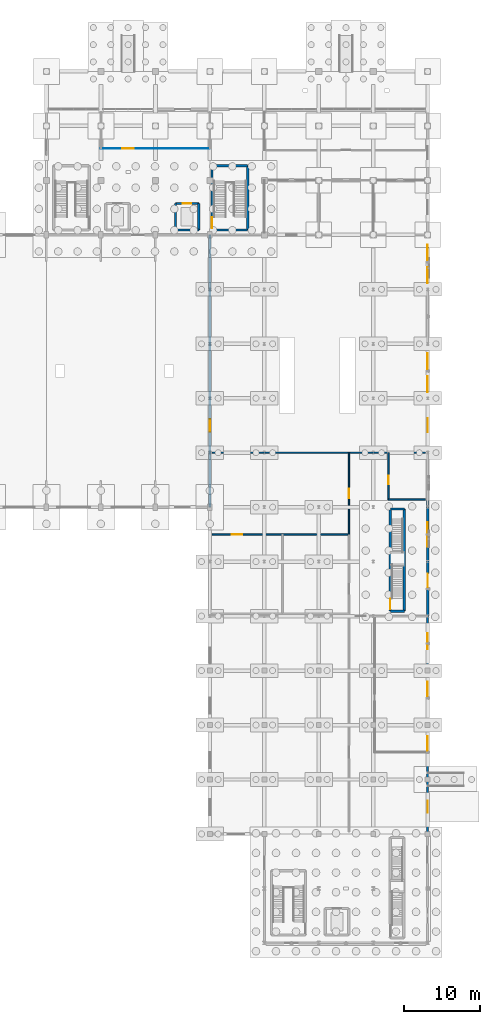
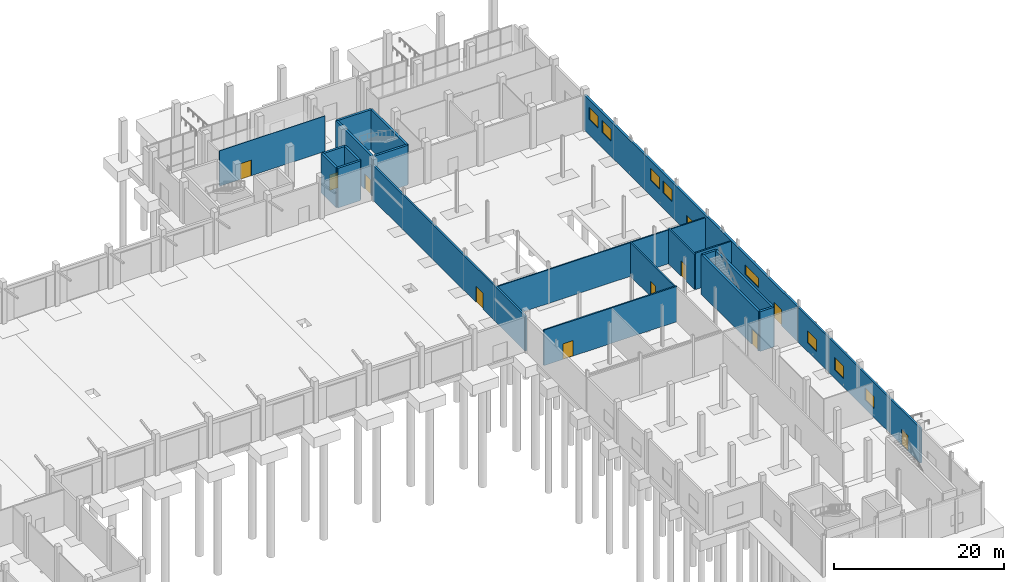
# One storey, part 36 of 45: 21 walls, 11 doors, 8 windows, 19 openings.
"""IFC4 building model written with IfcOpenShell, lengths in metres."""

from ifc_helpers import new_model, si_unit, direction, frame, frame_2d, origin, place, context, subcontext, project, spatial, rectangle, extrude, material, layer, layer_set, type_object, element, fill, save


model = new_model("IFC4")

# Units and contexts
model_context = context("Model", 3, precision=1e-05, world=origin(), true_north=direction((0.0, 1.0)))
body_context = subcontext(model_context, "Body", "Model", "MODEL_VIEW")
ifc_project = project(units=[si_unit("LENGTHUNIT", "METRE"), si_unit("AREAUNIT", "SQUARE_METRE"), si_unit("VOLUMEUNIT", "CUBIC_METRE"), si_unit("PLANEANGLEUNIT", "RADIAN"), si_unit("MASSUNIT", "GRAM", prefix="KILO")], contexts=[model_context])

# Site, building, storey
site_placement = place(None, origin())
site = spatial("IfcSite", under=ifc_project, at=site_placement, CompositionType="ELEMENT")
building_placement = place(site_placement, origin())
building = spatial("IfcBuilding", under=site, at=building_placement, Name="Yarey Park Central Fire Station", CompositionType="ELEMENT")
storey_placement = place(building_placement, origin())
storey = spatial("IfcBuildingStorey", under=building, at=storey_placement, Name="L01", CompositionType="ELEMENT", Elevation=0.0)

# Wall, openings, doors, windows
ifc_material_1 = material(Name="Concrete C35/45", Category="concrete")
ifc_layer_1 = layer(ifc_material_1, 0.304931640625)
ifc_layer_set_1 = layer_set([ifc_layer_1], Name="Concrete C35/45")
wall_type_1 = type_object("IfcWallType", Name="ENV_WALL_CMU305", PredefinedType="STANDARD", material=ifc_layer_set_1)
wall_1_placement = place(storey_placement, frame((165.60009765625, 93.60009765625, 0.0), z_axis=(0.0, 0.0, 1.0), x_axis=(0.0, -1.0, 0.0)))
wall_1 = element("IfcWall", 1, at=wall_1_placement, inside=storey, type_object=wall_type_1, Name="EW_L01_V5_E", PredefinedType="STANDARD", context=body_context, shape_type="SweptSolid", body=[
    extrude(rectangle(XDim=50.400146484375, YDim=0.304931640625, at=frame_2d((25.2001953125, 0.0))), origin(), (0.0, 0.0, 1.0), 5.02197265625),
])
opening_1_placement = place(wall_1_placement, frame((44.780029296875, 0.0, 0.0)))
opening_1 = element("IfcOpeningElement", 2, at=opening_1_placement, cuts=wall_1, Name="Opening ED-182", PredefinedType="OPENING", context=body_context, shape_type="SweptSolid", body=[
    extrude(rectangle(XDim=1.820068359375, YDim=2.340087890625, at=frame_2d((0.91015625, 1.169921875))), frame((0.0, 0.162353515625, 0.0), z_axis=(0.0, -1.0, 0.0), x_axis=(1.0, 0.0, 0.0)), (0.0, 0.0, 1.0), 0.324951171875),
])
opening_2_placement = place(wall_1_placement, frame((24.219970703125, 0.0, 0.0)))
opening_2 = element("IfcOpeningElement", 3, at=opening_2_placement, cuts=wall_1, Name="Opening ED-188", PredefinedType="OPENING", context=body_context, shape_type="SweptSolid", body=[
    extrude(rectangle(XDim=1.8798828125, YDim=2.360107421875, at=frame_2d((0.93994140625, 1.18017578125))), frame((0.0, 0.162353515625, 0.0), z_axis=(0.0, -1.0, 0.0), x_axis=(1.0, 0.0, 0.0)), (0.0, 0.0, 1.0), 0.324951171875),
])
opening_3_placement = place(wall_1_placement, frame((38.0, 0.0, 2.199951171875)))
opening_3 = element("IfcOpeningElement", 4, at=opening_3_placement, cuts=wall_1, Name="Opening WN-C320", PredefinedType="OPENING", context=body_context, shape_type="SweptSolid", body=[
    extrude(rectangle(XDim=3.199951171875, YDim=1.39990234375, at=frame_2d((1.60009765625, 0.699951171875))), frame((0.0, 0.162353515625, 0.0), z_axis=(0.0, -1.0, 0.0), x_axis=(1.0, 0.0, 0.0)), (0.0, 0.0, 1.0), 0.324951171875),
])
opening_4_placement = place(wall_1_placement, frame((18.679931640625, 0.0, 2.199951171875)))
opening_4 = element("IfcOpeningElement", 5, at=opening_4_placement, cuts=wall_1, Name="Opening WN-P212", PredefinedType="OPENING", context=body_context, shape_type="SweptSolid", body=[
    extrude(rectangle(XDim=2.1201171875, YDim=1.760009765625, at=frame_2d((1.06005859375, 0.8798828125))), frame((0.0, 0.162353515625, 0.0), z_axis=(0.0, -1.0, 0.0), x_axis=(1.0, 0.0, 0.0)), (0.0, 0.0, 1.0), 0.324951171875),
])
opening_5_placement = place(wall_1_placement, frame((15.679931640625, 0.0, 2.199951171875)))
opening_5 = element("IfcOpeningElement", 6, at=opening_5_placement, cuts=wall_1, Name="Opening WN-P212", PredefinedType="OPENING", context=body_context, shape_type="SweptSolid", body=[
    extrude(rectangle(XDim=2.1201171875, YDim=1.760009765625, at=frame_2d((1.06005859375, 0.8798828125))), frame((0.0, 0.162353515625, 0.0), z_axis=(0.0, -1.0, 0.0), x_axis=(1.0, 0.0, 0.0)), (0.0, 0.0, 1.0), 0.324951171875),
])
opening_6_placement = place(wall_1_placement, frame((4.280029296875, 0.0, 2.199951171875)))
opening_6 = element("IfcOpeningElement", 7, at=opening_6_placement, cuts=wall_1, Name="Opening WN-P212", PredefinedType="OPENING", context=body_context, shape_type="SweptSolid", body=[
    extrude(rectangle(XDim=2.1201171875, YDim=1.760009765625, at=frame_2d((1.06005859375, 0.8798828125))), frame((0.0, 0.162353515625, 0.0), z_axis=(0.0, -1.0, 0.0), x_axis=(1.0, 0.0, 0.0)), (0.0, 0.0, 1.0), 0.324951171875),
])
opening_7_placement = place(wall_1_placement, frame((1.280029296875, 0.0, 2.199951171875)))
opening_7 = element("IfcOpeningElement", 8, at=opening_7_placement, cuts=wall_1, Name="Opening WN-P212", PredefinedType="OPENING", context=body_context, shape_type="SweptSolid", body=[
    extrude(rectangle(XDim=2.1201171875, YDim=1.760009765625, at=frame_2d((1.06005859375, 0.8798828125))), frame((0.0, 0.162353515625, 0.0), z_axis=(0.0, -1.0, 0.0), x_axis=(1.0, 0.0, 0.0)), (0.0, 0.0, 1.0), 0.324951171875),
])
ifc_material_2 = material(Name="Galvanized Hollow Metal Door", Category="metal")
door_type_1 = type_object("IfcDoorType", Name="ENV_DOOR_EX1820", OperationType="NOTDEFINED", PredefinedType="DOOR", material=ifc_material_2)
door_1_placement = place(opening_1_placement, origin())
door_1 = element("IfcDoor", 9, at=door_1_placement, inside=storey, type_object=door_type_1, Name="DOOR_L01_EX_E09A", OperationType="SINGLE_SWING_RIGHT", OverallHeight=2.340087890625, OverallWidth=1.820068359375, PredefinedType="DOOR", context=body_context, shape_type="SweptSolid", body=[
    extrude(rectangle(XDim=1.820068359375, YDim=2.340087890625, at=frame_2d((0.91015625, 1.169921875))), frame((0.0, 0.02490234375, 0.0), z_axis=(0.0, -1.0, 0.0), x_axis=(1.0, 0.0, 0.0)), (0.0, 0.0, 1.0), 0.050048828125),
])
fill(opening_1, door_1)
door_type_2 = type_object("IfcDoorType", Name="ENV_DOOR_EX1880", OperationType="NOTDEFINED", PredefinedType="DOOR", material=ifc_material_2)
door_2_placement = place(opening_2_placement, origin())
door_2 = element("IfcDoor", 10, at=door_2_placement, inside=storey, type_object=door_type_2, Name="DOOR_L01_EX_E09B", OperationType="SINGLE_SWING_LEFT", OverallHeight=2.360107421875, OverallWidth=1.8798828125, PredefinedType="DOOR", context=body_context, shape_type="SweptSolid", body=[
    extrude(rectangle(XDim=1.8798828125, YDim=2.360107421875, at=frame_2d((0.93994140625, 1.18017578125))), frame((0.0, 0.02490234375, 0.0), z_axis=(0.0, -1.0, 0.0), x_axis=(1.0, 0.0, 0.0)), (0.0, 0.0, 1.0), 0.050048828125),
])
fill(opening_2, door_2)
ifc_material_3 = material(Name="Laminated Hurricane Low-E Glass", Category="glass")
window_type_1 = type_object("IfcWindowType", Name="ENV_WIN_CLER_320", PartitioningType="SINGLE_PANEL", PredefinedType="WINDOW", material=ifc_material_3)
window_1_placement = place(opening_3_placement, origin())
window_1 = element("IfcWindow", 11, at=window_1_placement, inside=storey, type_object=window_type_1, Name="WIN_L01_V5E_1", OverallHeight=1.39990234375, OverallWidth=3.199951171875, PartitioningType="SINGLE_PANEL", PredefinedType="WINDOW", context=body_context, shape_type="SweptSolid", body=[
    extrude(rectangle(XDim=3.199951171875, YDim=1.39990234375, at=frame_2d((1.60009765625, 0.699951171875))), frame((0.0, 0.030029296875, 0.0), z_axis=(0.0, -1.0, 0.0), x_axis=(1.0, 0.0, 0.0)), (0.0, 0.0, 1.0), 0.06005859375),
])
fill(opening_3, window_1)
window_type_2 = type_object("IfcWindowType", Name="ENV_WIN_PUNCH_212", PartitioningType="SINGLE_PANEL", PredefinedType="WINDOW", material=ifc_material_3)
window_2_placement = place(opening_4_placement, origin())
window_2 = element("IfcWindow", 12, at=window_2_placement, inside=storey, type_object=window_type_2, Name="WIN_L01_V5E_2", OverallHeight=1.760009765625, OverallWidth=2.1201171875, PartitioningType="SINGLE_PANEL", PredefinedType="WINDOW", context=body_context, shape_type="SweptSolid", body=[
    extrude(rectangle(XDim=2.1201171875, YDim=1.760009765625, at=frame_2d((1.06005859375, 0.8798828125))), frame((0.0, 0.030029296875, 0.0), z_axis=(0.0, -1.0, 0.0), x_axis=(1.0, 0.0, 0.0)), (0.0, 0.0, 1.0), 0.06005859375),
])
fill(opening_4, window_2)
window_3_placement = place(opening_5_placement, origin())
window_3 = element("IfcWindow", 13, at=window_3_placement, inside=storey, type_object=window_type_2, Name="WIN_L01_V5E_3", OverallHeight=1.760009765625, OverallWidth=2.1201171875, PartitioningType="SINGLE_PANEL", PredefinedType="WINDOW", context=body_context, shape_type="SweptSolid", body=[
    extrude(rectangle(XDim=2.1201171875, YDim=1.760009765625, at=frame_2d((1.06005859375, 0.8798828125))), frame((0.0, 0.030029296875, 0.0), z_axis=(0.0, -1.0, 0.0), x_axis=(1.0, 0.0, 0.0)), (0.0, 0.0, 1.0), 0.06005859375),
])
fill(opening_5, window_3)
window_4_placement = place(opening_6_placement, origin())
window_4 = element("IfcWindow", 14, at=window_4_placement, inside=storey, type_object=window_type_2, Name="WIN_L01_V5E_4", OverallHeight=1.760009765625, OverallWidth=2.1201171875, PartitioningType="SINGLE_PANEL", PredefinedType="WINDOW", context=body_context, shape_type="SweptSolid", body=[
    extrude(rectangle(XDim=2.1201171875, YDim=1.760009765625, at=frame_2d((1.06005859375, 0.8798828125))), frame((0.0, 0.030029296875, 0.0), z_axis=(0.0, -1.0, 0.0), x_axis=(1.0, 0.0, 0.0)), (0.0, 0.0, 1.0), 0.06005859375),
])
fill(opening_6, window_4)
window_5_placement = place(opening_7_placement, origin())
window_5 = element("IfcWindow", 15, at=window_5_placement, inside=storey, type_object=window_type_2, Name="WIN_L01_V5E_5", OverallHeight=1.760009765625, OverallWidth=2.1201171875, PartitioningType="SINGLE_PANEL", PredefinedType="WINDOW", context=body_context, shape_type="SweptSolid", body=[
    extrude(rectangle(XDim=2.1201171875, YDim=1.760009765625, at=frame_2d((1.06005859375, 0.8798828125))), frame((0.0, 0.030029296875, 0.0), z_axis=(0.0, -1.0, 0.0), x_axis=(1.0, 0.0, 0.0)), (0.0, 0.0, 1.0), 0.06005859375),
])
fill(opening_7, window_5)

# Wall, openings, door, windows
ifc_material_4 = material(Name="Concrete C40/50", Category="concrete")
ifc_layer_2 = layer(ifc_material_4, 0.2548828125)
ifc_layer_set_2 = layer_set([ifc_layer_2], Name="Concrete C40/50")
wall_type_2 = type_object("IfcWallType", Name="ENV_WALL_RC255", PredefinedType="STANDARD", material=ifc_layer_set_2)
wall_2_placement = place(storey_placement, frame((165.60009765625, 43.199951171875, 0.0), z_axis=(0.0, 0.0, 1.0), x_axis=(0.0, -1.0, 0.0)))
wall_2 = element("IfcWall", 16, at=wall_2_placement, inside=storey, type_object=wall_type_2, Name="EW_L01_V6_SMKE", PredefinedType="STANDARD", context=body_context, shape_type="SweptSolid", body=[
    extrude(rectangle(XDim=28.800048828125, YDim=0.2548828125, at=frame_2d((14.39990234375, 0.0))), origin(), (0.0, 0.0, 1.0), 5.02197265625),
])
opening_8_placement = place(wall_2_placement, frame((24.39990234375, 0.0, 0.0)))
opening_8 = element("IfcOpeningElement", 17, at=opening_8_placement, cuts=wall_2, Name="Opening ED-160", PredefinedType="OPENING", context=body_context, shape_type="SweptSolid", body=[
    extrude(rectangle(XDim=1.60009765625, YDim=2.280029296875, at=frame_2d((0.800048828125, 1.14013671875))), frame((0.0, 0.137451171875, 0.0), z_axis=(0.0, -1.0, 0.0), x_axis=(1.0, 0.0, 0.0)), (0.0, 0.0, 1.0), 0.27490234375),
])
opening_9_placement = place(wall_2_placement, frame((15.8798828125, 0.0, 1.25)))
opening_9 = element("IfcOpeningElement", 18, at=opening_9_placement, cuts=wall_2, Name="Opening WN-P212", PredefinedType="OPENING", context=body_context, shape_type="SweptSolid", body=[
    extrude(rectangle(XDim=2.1201171875, YDim=1.760009765625, at=frame_2d((1.06005859375, 0.8798828125))), frame((0.0, 0.137451171875, 0.0), z_axis=(0.0, -1.0, 0.0), x_axis=(1.0, 0.0, 0.0)), (0.0, 0.0, 1.0), 0.27490234375),
])
opening_10_placement = place(wall_2_placement, frame((8.679931640625, 0.0, 1.25)))
opening_10 = element("IfcOpeningElement", 19, at=opening_10_placement, cuts=wall_2, Name="Opening WN-P212", PredefinedType="OPENING", context=body_context, shape_type="SweptSolid", body=[
    extrude(rectangle(XDim=2.1201171875, YDim=1.760009765625, at=frame_2d((1.06005859375, 0.8798828125))), frame((0.0, 0.137451171875, 0.0), z_axis=(0.0, -1.0, 0.0), x_axis=(1.0, 0.0, 0.0)), (0.0, 0.0, 1.0), 0.27490234375),
])
opening_11_placement = place(wall_2_placement, frame((2.280029296875, 0.0, 1.25)))
opening_11 = element("IfcOpeningElement", 20, at=opening_11_placement, cuts=wall_2, Name="Opening WN-P212", PredefinedType="OPENING", context=body_context, shape_type="SweptSolid", body=[
    extrude(rectangle(XDim=2.1201171875, YDim=1.760009765625, at=frame_2d((1.06005859375, 0.8798828125))), frame((0.0, 0.137451171875, 0.0), z_axis=(0.0, -1.0, 0.0), x_axis=(1.0, 0.0, 0.0)), (0.0, 0.0, 1.0), 0.27490234375),
])
ifc_material_5 = material(Name="Anodized Aluminium Frame", Category="aluminium")
door_type_3 = type_object("IfcDoorType", Name="ENV_DOOR_EX1600", OperationType="NOTDEFINED", PredefinedType="DOOR", material=ifc_material_5)
door_3_placement = place(opening_8_placement, origin())
door_3 = element("IfcDoor", 21, at=door_3_placement, inside=storey, type_object=door_type_3, Name="DOOR_L01_EX_E10B", OperationType="SINGLE_SWING_RIGHT", OverallHeight=2.280029296875, OverallWidth=1.60009765625, PredefinedType="DOOR", context=body_context, shape_type="SweptSolid", body=[
    extrude(rectangle(XDim=1.60009765625, YDim=2.280029296875, at=frame_2d((0.800048828125, 1.14013671875))), frame((0.0, 0.02490234375, 0.0), z_axis=(0.0, -1.0, 0.0), x_axis=(1.0, 0.0, 0.0)), (0.0, 0.0, 1.0), 0.050048828125),
])
fill(opening_8, door_3)
window_6_placement = place(opening_9_placement, origin())
window_6 = element("IfcWindow", 22, at=window_6_placement, inside=storey, type_object=window_type_2, Name="WIN_L01_SMKE_2", OverallHeight=1.760009765625, OverallWidth=2.1201171875, PartitioningType="SINGLE_PANEL", PredefinedType="WINDOW", context=body_context, shape_type="SweptSolid", body=[
    extrude(rectangle(XDim=2.1201171875, YDim=1.760009765625, at=frame_2d((1.06005859375, 0.8798828125))), frame((0.0, 0.030029296875, 0.0), z_axis=(0.0, -1.0, 0.0), x_axis=(1.0, 0.0, 0.0)), (0.0, 0.0, 1.0), 0.06005859375),
])
fill(opening_9, window_6)
window_7_placement = place(opening_10_placement, origin())
window_7 = element("IfcWindow", 23, at=window_7_placement, inside=storey, type_object=window_type_2, Name="WIN_L01_SMKE_3", OverallHeight=1.760009765625, OverallWidth=2.1201171875, PartitioningType="SINGLE_PANEL", PredefinedType="WINDOW", context=body_context, shape_type="SweptSolid", body=[
    extrude(rectangle(XDim=2.1201171875, YDim=1.760009765625, at=frame_2d((1.06005859375, 0.8798828125))), frame((0.0, 0.030029296875, 0.0), z_axis=(0.0, -1.0, 0.0), x_axis=(1.0, 0.0, 0.0)), (0.0, 0.0, 1.0), 0.06005859375),
])
fill(opening_10, window_7)
window_8_placement = place(opening_11_placement, origin())
window_8 = element("IfcWindow", 24, at=window_8_placement, inside=storey, type_object=window_type_2, Name="WIN_L01_SMKE_4", OverallHeight=1.760009765625, OverallWidth=2.1201171875, PartitioningType="SINGLE_PANEL", PredefinedType="WINDOW", context=body_context, shape_type="SweptSolid", body=[
    extrude(rectangle(XDim=2.1201171875, YDim=1.760009765625, at=frame_2d((1.06005859375, 0.8798828125))), frame((0.0, 0.030029296875, 0.0), z_axis=(0.0, -1.0, 0.0), x_axis=(1.0, 0.0, 0.0)), (0.0, 0.0, 1.0), 0.06005859375),
])
fill(opening_11, window_8)

# Wall
ifc_layer_3 = layer(ifc_material_4, 0.27001953125)
ifc_layer_set_3 = layer_set([ifc_layer_3], Name="Concrete C40/50")
wall_type_3 = type_object("IfcWallType", Name="INT_CORE_RC270", PredefinedType="SHEAR", material=ifc_layer_set_3)
wall_3_placement = place(storey_placement, frame((132.25, 94.25, 0.0), z_axis=(0.0, 0.0, 1.0), x_axis=(1.0, 0.0, 0.0)))
element("IfcWall", 25, at=wall_3_placement, inside=storey, type_object=wall_type_3, Name="LWALL_C2_L01_S", PredefinedType="SHEAR", context=body_context, shape_type="SweptSolid", body=[
    extrude(rectangle(XDim=3.10009765625, YDim=0.300048828125, at=frame_2d((1.550048828125, 0.0))), origin(), (0.0, 0.0, 1.0), 5.715087890625),
])

# Wall, opening, door
wall_4_placement = place(storey_placement, frame((135.35009765625, 97.75, 0.0), z_axis=(0.0, 0.0, 1.0), x_axis=(-1.0, 0.0, 0.0)))
wall_4 = element("IfcWall", 26, at=wall_4_placement, inside=storey, type_object=wall_type_3, Name="LWALL_C2_L01_N", PredefinedType="SHEAR", context=body_context, shape_type="SweptSolid", body=[
    extrude(rectangle(XDim=3.10009765625, YDim=0.300048828125, at=frame_2d((1.550048828125, 0.0))), origin(), (0.0, 0.0, 1.0), 5.715087890625),
])
opening_12_placement = place(wall_4_placement, frame((0.97998046875, 0.0, 0.0)))
opening_12 = element("IfcOpeningElement", 27, at=opening_12_placement, cuts=wall_4, Name="Opening LD-11B", PredefinedType="OPENING", context=body_context, shape_type="SweptSolid", body=[
    extrude(rectangle(XDim=1.139892578125, YDim=2.239990234375, at=frame_2d((0.56982421875, 1.1201171875))), frame((0.0, 0.159912109375, 0.0), z_axis=(0.0, -1.0, 0.0), x_axis=(1.0, 0.0, 0.0)), (0.0, 0.0, 1.0), 0.320068359375),
])
ifc_material_6 = material(Name="Stainless Steel AISI 316L", Category="steel")
door_type_4 = type_object("IfcDoorType", Name="DR_LD_1140", OperationType="NOTDEFINED", PredefinedType="DOOR", material=ifc_material_6)
door_4_placement = place(opening_12_placement, origin())
door_4 = element("IfcDoor", 28, at=door_4_placement, inside=storey, type_object=door_type_4, Name="Lift Landing Door LF-2-L01", OperationType="SLIDING_TO_LEFT", OverallHeight=2.239990234375, OverallWidth=1.139892578125, PredefinedType="DOOR", context=body_context, shape_type="SweptSolid", body=[
    extrude(rectangle(XDim=1.139892578125, YDim=2.239990234375, at=frame_2d((0.56982421875, 1.1201171875))), frame((0.0, 0.02490234375, 0.0), z_axis=(0.0, -1.0, 0.0), x_axis=(1.0, 0.0, 0.0)), (0.0, 0.0, 1.0), 0.050048828125),
])
fill(opening_12, door_4)

# Walls
for number, where, z_axis, x_axis, name in (
    (29, (132.25, 97.75, 0.0), (0.0, 0.0, 1.0), (0.0, -1.0, 0.0), "LWALL_C2_L01_W"),
    (30, (135.35009765625, 94.25, 0.0), (0.0, 0.0, 1.0), (0.0, 1.0, 0.0), "LWALL_C2_L01_E"),
):
    element("IfcWall", number, at=place(storey_placement, frame(where, z_axis=z_axis, x_axis=x_axis)), inside=storey, type_object=wall_type_3, Name=name, PredefinedType="SHEAR", context=body_context, shape_type="SweptSolid", body=[
        extrude(rectangle(XDim=3.5, YDim=0.300048828125, at=frame_2d((1.75, 0.0))), origin(), (0.0, 0.0, 1.0), 5.715087890625),
    ])
for number, where, z_axis, x_axis, name in (
    (31, (160.64990234375, 43.85009765625, 0.0), (0.0, 0.0, 1.0), (1.0, 0.0, 0.0), "CWALL_C7_L01_S"),
    (32, (162.5, 57.35009765625, 0.0), (0.0, 0.0, 1.0), (-1.0, 0.0, 0.0), "CWALL_C7_L01_N"),
):
    element("IfcWall", number, at=place(storey_placement, frame(where, z_axis=z_axis, x_axis=x_axis)), inside=storey, type_object=wall_type_3, Name=name, PredefinedType="SHEAR", context=body_context, shape_type="SweptSolid", body=[
        extrude(rectangle(XDim=1.85009765625, YDim=0.300048828125, at=frame_2d((0.925048828125, 0.0))), origin(), (0.0, 0.0, 1.0), 5.715087890625),
    ])

# Wall, opening, door
wall_5_placement = place(storey_placement, frame((160.64990234375, 43.85009765625, 0.0), z_axis=(0.0, 0.0, 1.0), x_axis=(0.0, 1.0, 0.0)))
wall_5 = element("IfcWall", 33, at=wall_5_placement, inside=storey, type_object=wall_type_3, Name="CWALL_C7_L01_W", PredefinedType="SHEAR", context=body_context, shape_type="SweptSolid", body=[
    extrude(rectangle(XDim=13.5, YDim=0.300048828125, at=frame_2d((6.75, 0.0))), origin(), (0.0, 0.0, 1.0), 5.715087890625),
])
opening_13_placement = place(wall_5_placement, frame((0.25, 0.0, 0.0)))
opening_13 = element("IfcOpeningElement", 34, at=opening_13_placement, cuts=wall_5, Name="Opening SD-142", PredefinedType="OPENING", context=body_context, shape_type="SweptSolid", body=[
    extrude(rectangle(XDim=1.419921875, YDim=2.219970703125, at=frame_2d((0.7099609375, 1.10986328125))), frame((0.0, 0.159912109375, 0.0), z_axis=(0.0, -1.0, 0.0), x_axis=(1.0, 0.0, 0.0)), (0.0, 0.0, 1.0), 0.320068359375),
])
door_type_5 = type_object("IfcDoorType", Name="DR_STAIR_1420", OperationType="NOTDEFINED", PredefinedType="DOOR", material=ifc_material_2)
door_5_placement = place(opening_13_placement, origin())
door_5 = element("IfcDoor", 35, at=door_5_placement, inside=storey, type_object=door_type_5, Name="DOOR_STAIR_C7_L01", OperationType="SINGLE_SWING_RIGHT", OverallHeight=2.219970703125, OverallWidth=1.419921875, PredefinedType="DOOR", context=body_context, shape_type="SweptSolid", body=[
    extrude(rectangle(XDim=1.419921875, YDim=2.219970703125, at=frame_2d((0.7099609375, 1.10986328125))), frame((0.0, 0.02490234375, 0.0), z_axis=(0.0, -1.0, 0.0), x_axis=(1.0, 0.0, 0.0)), (0.0, 0.0, 1.0), 0.050048828125),
])
fill(opening_13, door_5)

# Walls
wall_6_placement = place(storey_placement, frame((162.5, 57.35009765625, 0.0), z_axis=(0.0, 0.0, 1.0), x_axis=(0.0, -1.0, 0.0)))
element("IfcWall", 36, at=wall_6_placement, inside=storey, type_object=wall_type_3, Name="CWALL_C7_L01_E", PredefinedType="SHEAR", context=body_context, shape_type="SweptSolid", body=[
    extrude(rectangle(XDim=13.5, YDim=0.300048828125, at=frame_2d((6.75, 0.0))), origin(), (0.0, 0.0, 1.0), 5.715087890625),
])
ifc_layer_4 = layer(ifc_material_4, 0.300048828125)
ifc_layer_set_4 = layer_set([ifc_layer_4], Name="Concrete C40/50")
wall_type_4 = type_object("IfcWallType", Name="INT_CORE_RC300", PredefinedType="SHEAR", material=ifc_layer_set_4)
for number, where, z_axis, x_axis, name in (
    (37, (137.10009765625, 94.25, 0.0), (0.0, 0.0, 1.0), (1.0, 0.0, 0.0), "CWALL_C2_L01_S"),
    (38, (141.800048828125, 102.75, 0.0), (0.0, 0.0, 1.0), (-1.0, 0.0, 0.0), "CWALL_C2_L01_N"),
):
    element("IfcWall", number, at=place(storey_placement, frame(where, z_axis=z_axis, x_axis=x_axis)), inside=storey, type_object=wall_type_4, Name=name, PredefinedType="SHEAR", context=body_context, shape_type="SweptSolid", body=[
        extrude(rectangle(XDim=4.699951171875, YDim=0.300048828125, at=frame_2d((2.35009765625, 0.0))), origin(), (0.0, 0.0, 1.0), 5.715087890625),
    ])

# Wall, opening, door
wall_7_placement = place(storey_placement, frame((137.10009765625, 94.25, 0.0), z_axis=(0.0, 0.0, 1.0), x_axis=(0.0, 1.0, 0.0)))
wall_7 = element("IfcWall", 39, at=wall_7_placement, inside=storey, type_object=wall_type_4, Name="CWALL_C2_L01_W", PredefinedType="SHEAR", context=body_context, shape_type="SweptSolid", body=[
    extrude(rectangle(XDim=8.5, YDim=0.300048828125, at=frame_2d((4.25, 0.0))), origin(), (0.0, 0.0, 1.0), 5.715087890625),
])
opening_14_placement = place(wall_7_placement, frame((0.25, 0.0, 0.0)))
opening_14 = element("IfcOpeningElement", 40, at=opening_14_placement, cuts=wall_7, Name="Opening SD-142", PredefinedType="OPENING", context=body_context, shape_type="SweptSolid", body=[
    extrude(rectangle(XDim=1.419921875, YDim=2.219970703125, at=frame_2d((0.7099609375, 1.10986328125))), frame((0.0, 0.159912109375, 0.0), z_axis=(0.0, -1.0, 0.0), x_axis=(1.0, 0.0, 0.0)), (0.0, 0.0, 1.0), 0.320068359375),
])
door_6_placement = place(opening_14_placement, origin())
door_6 = element("IfcDoor", 41, at=door_6_placement, inside=storey, type_object=door_type_5, Name="DOOR_STAIR_C2_L01", OperationType="SINGLE_SWING_LEFT", OverallHeight=2.219970703125, OverallWidth=1.419921875, PredefinedType="DOOR", context=body_context, shape_type="SweptSolid", body=[
    extrude(rectangle(XDim=1.419921875, YDim=2.219970703125, at=frame_2d((0.7099609375, 1.10986328125))), frame((0.0, 0.02490234375, 0.0), z_axis=(0.0, -1.0, 0.0), x_axis=(1.0, 0.0, 0.0)), (0.0, 0.0, 1.0), 0.050048828125),
])
fill(opening_14, door_6)

# Walls
wall_8_placement = place(storey_placement, frame((141.800048828125, 102.75, 0.0), z_axis=(0.0, 0.0, 1.0), x_axis=(0.0, -1.0, 0.0)))
element("IfcWall", 42, at=wall_8_placement, inside=storey, type_object=wall_type_4, Name="CWALL_C2_L01_E", PredefinedType="SHEAR", context=body_context, shape_type="SweptSolid", body=[
    extrude(rectangle(XDim=8.5, YDim=0.300048828125, at=frame_2d((4.25, 0.0))), origin(), (0.0, 0.0, 1.0), 5.715087890625),
])
ifc_material_7 = material(Name="Gypsum Shaftliner Assembly", Category="gypsum")
ifc_layer_5 = layer(ifc_material_7, 0.169921875)
ifc_layer_set_5 = layer_set([ifc_layer_5], Name="Gypsum Shaftliner Assembly")
wall_type_5 = type_object("IfcWallType", Name="INT_WALL_AC170", PredefinedType="STANDARD", material=ifc_layer_set_5)
wall_9_placement = place(storey_placement, frame((137.10009765625, 64.800048828125, 0.0), z_axis=(0.0, 0.0, 1.0), x_axis=(1.0, 0.0, 0.0)))
element("IfcWall", 43, at=wall_9_placement, inside=storey, type_object=wall_type_5, Name="PART_SPC_L01_WORKSHOP_SOUTH", PredefinedType="STANDARD", context=body_context, shape_type="SweptSolid", body=[
    extrude(rectangle(XDim=28.199951171875, YDim=0.169921875, at=frame_2d((14.10009765625, 0.0))), origin(), (0.0, 0.0, 1.0), 4.864013671875),
])

# Wall, opening, door
ifc_layer_6 = layer(ifc_material_1, 0.18994140625)
ifc_layer_set_6 = layer_set([ifc_layer_6], Name="Concrete C35/45")
wall_type_6 = type_object("IfcWallType", Name="INT_WALL_CMU190", PredefinedType="STANDARD", material=ifc_layer_set_6)
wall_10_placement = place(storey_placement, frame((137.10009765625, 54.0, 0.0), z_axis=(0.0, 0.0, 1.0), x_axis=(1.0, 0.0, 0.0)))
wall_10 = element("IfcWall", 44, at=wall_10_placement, inside=storey, type_object=wall_type_6, Name="PART_SPC_L01_HOSE_SOUTH", PredefinedType="STANDARD", context=body_context, shape_type="SweptSolid", body=[
    extrude(rectangle(XDim=18.099853515625, YDim=0.18994140625, at=frame_2d((9.0498046875, 0.0))), origin(), (0.0, 0.0, 1.0), 5.10302734375),
])
opening_15_placement = place(wall_10_placement, frame((2.610107421875, 0.0, 0.0)))
opening_15 = element("IfcOpeningElement", 45, at=opening_15_placement, cuts=wall_10, Name="Opening FD-138", PredefinedType="OPENING", context=body_context, shape_type="SweptSolid", body=[
    extrude(rectangle(XDim=1.3798828125, YDim=2.239990234375, at=frame_2d((0.68994140625, 1.1201171875))), frame((0.0, 0.10498046875, 0.0), z_axis=(0.0, -1.0, 0.0), x_axis=(1.0, 0.0, 0.0)), (0.0, 0.0, 1.0), 0.2099609375),
])
door_type_6 = type_object("IfcDoorType", Name="DR_FD_1380", OperationType="NOTDEFINED", PredefinedType="DOOR", material=ifc_material_2)
door_7_placement = place(opening_15_placement, origin())
door_7 = element("IfcDoor", 46, at=door_7_placement, inside=storey, type_object=door_type_6, Name="DOOR_SPC_L01_POWER", OperationType="SINGLE_SWING_LEFT", OverallHeight=2.239990234375, OverallWidth=1.3798828125, PredefinedType="DOOR", context=body_context, shape_type="SweptSolid", body=[
    extrude(rectangle(XDim=1.3798828125, YDim=2.239990234375, at=frame_2d((0.68994140625, 1.1201171875))), frame((0.0, 0.02490234375, 0.0), z_axis=(0.0, -1.0, 0.0), x_axis=(1.0, 0.0, 0.0)), (0.0, 0.0, 1.0), 0.050048828125),
])
fill(opening_15, door_7)

wall_11_placement = place(storey_placement, frame((155.199951171875, 54.0, 0.0), z_axis=(0.0, 0.0, 1.0), x_axis=(0.0, 1.0, 0.0)))
wall_11 = element("IfcWall", 47, at=wall_11_placement, inside=storey, type_object=wall_type_6, Name="PART_SPC_L01_HOSE_EAST", PredefinedType="STANDARD", context=body_context, shape_type="SweptSolid", body=[
    extrude(rectangle(XDim=10.800048828125, YDim=0.18994140625, at=frame_2d((5.39990234375, 0.0))), origin(), (0.0, 0.0, 1.0), 4.864013671875),
])
opening_16_placement = place(wall_11_placement, frame((4.780029296875, 0.0, 0.0)))
opening_16 = element("IfcOpeningElement", 48, at=opening_16_placement, cuts=wall_11, Name="Opening FD-124", PredefinedType="OPENING", context=body_context, shape_type="SweptSolid", body=[
    extrude(rectangle(XDim=1.239990234375, YDim=2.199951171875, at=frame_2d((0.6201171875, 1.10009765625))), frame((0.0, 0.10498046875, 0.0), z_axis=(0.0, -1.0, 0.0), x_axis=(1.0, 0.0, 0.0)), (0.0, 0.0, 1.0), 0.2099609375),
])
door_type_7 = type_object("IfcDoorType", Name="DR_FD_1240", OperationType="NOTDEFINED", PredefinedType="DOOR", material=ifc_material_2)
door_8_placement = place(opening_16_placement, origin())
door_8 = element("IfcDoor", 49, at=door_8_placement, inside=storey, type_object=door_type_7, Name="DOOR_SPC_L01_HOSE", OperationType="SINGLE_SWING_RIGHT", OverallHeight=2.199951171875, OverallWidth=1.239990234375, PredefinedType="DOOR", context=body_context, shape_type="SweptSolid", body=[
    extrude(rectangle(XDim=1.239990234375, YDim=2.199951171875, at=frame_2d((0.6201171875, 1.10009765625))), frame((0.0, 0.02490234375, 0.0), z_axis=(0.0, -1.0, 0.0), x_axis=(1.0, 0.0, 0.0)), (0.0, 0.0, 1.0), 0.050048828125),
])
fill(opening_16, door_8)

# Wall
wall_12_placement = place(storey_placement, frame((160.39990234375, 58.60009765625, 0.0), z_axis=(0.0, 0.0, 1.0), x_axis=(1.0, 0.0, 0.0)))
element("IfcWall", 50, at=wall_12_placement, inside=storey, type_object=wall_type_6, Name="PART_SPC_L01_ELECSW_SOUTH", PredefinedType="STANDARD", context=body_context, shape_type="SweptSolid", body=[
    extrude(rectangle(XDim=4.900146484375, YDim=0.18994140625, at=frame_2d((2.4501953125, 0.0))), origin(), (0.0, 0.0, 1.0), 5.258056640625),
])

# Wall, opening, door
wall_13_placement = place(storey_placement, frame((160.39990234375, 64.800048828125, 0.0), z_axis=(0.0, 0.0, 1.0), x_axis=(0.0, -1.0, 0.0)))
wall_13 = element("IfcWall", 51, at=wall_13_placement, inside=storey, type_object=wall_type_6, Name="PART_SPC_L01_ELECSW_WEST", PredefinedType="STANDARD", context=body_context, shape_type="SweptSolid", body=[
    extrude(rectangle(XDim=6.199951171875, YDim=0.18994140625, at=frame_2d((3.10009765625, 0.0))), origin(), (0.0, 0.0, 1.0), 5.02197265625),
])
opening_17_placement = place(wall_13_placement, frame((3.02001953125, 0.0, 0.0)))
opening_17 = element("IfcOpeningElement", 52, at=opening_17_placement, cuts=wall_13, Name="Opening FD-116", PredefinedType="OPENING", context=body_context, shape_type="SweptSolid", body=[
    extrude(rectangle(XDim=1.159912109375, YDim=2.179931640625, at=frame_2d((0.580078125, 1.08984375))), frame((0.0, 0.10498046875, 0.0), z_axis=(0.0, -1.0, 0.0), x_axis=(1.0, 0.0, 0.0)), (0.0, 0.0, 1.0), 0.2099609375),
])
door_type_8 = type_object("IfcDoorType", Name="DR_FD_1160", OperationType="NOTDEFINED", PredefinedType="DOOR", material=ifc_material_2)
door_9_placement = place(opening_17_placement, origin())
door_9 = element("IfcDoor", 53, at=door_9_placement, inside=storey, type_object=door_type_8, Name="DOOR_SPC_L01_ELECSW", OperationType="SINGLE_SWING_LEFT", OverallHeight=2.179931640625, OverallWidth=1.159912109375, PredefinedType="DOOR", context=body_context, shape_type="SweptSolid", body=[
    extrude(rectangle(XDim=1.159912109375, YDim=2.179931640625, at=frame_2d((0.580078125, 1.08984375))), frame((0.0, 0.02490234375, 0.0), z_axis=(0.0, -1.0, 0.0), x_axis=(1.0, 0.0, 0.0)), (0.0, 0.0, 1.0), 0.050048828125),
])
fill(opening_17, door_9)

ifc_layer_7 = layer(ifc_material_1, 0.2451171875)
ifc_layer_set_7 = layer_set([ifc_layer_7], Name="Concrete C35/45")
wall_type_7 = type_object("IfcWallType", Name="INT_WALL_FB245", PredefinedType="STANDARD", material=ifc_layer_set_7)
wall_14_placement = place(storey_placement, frame((136.800048828125, 57.60009765625, 0.0), z_axis=(0.0, 0.0, 1.0), x_axis=(0.0, 1.0, 0.0)))
wall_14 = element("IfcWall", 54, at=wall_14_placement, inside=storey, type_object=wall_type_7, Name="IW_L01_V2_V5", PredefinedType="STANDARD", context=body_context, shape_type="SweptSolid", body=[
    extrude(rectangle(XDim=36.0, YDim=0.2451171875, at=frame_2d((18.0, 0.0))), origin(), (0.0, 0.0, 1.0), 5.02197265625),
])
opening_18_placement = place(wall_14_placement, frame((9.969970703125, 0.0, 0.0)))
opening_18 = element("IfcOpeningElement", 55, at=opening_18_placement, cuts=wall_14, Name="Opening FD-166", PredefinedType="OPENING", context=body_context, shape_type="SweptSolid", body=[
    extrude(rectangle(XDim=1.659912109375, YDim=2.300048828125, at=frame_2d((0.830078125, 1.14990234375))), frame((0.0, 0.132568359375, 0.0), z_axis=(0.0, -1.0, 0.0), x_axis=(1.0, 0.0, 0.0)), (0.0, 0.0, 1.0), 0.26513671875),
])
door_type_9 = type_object("IfcDoorType", Name="DR_FD_1660", OperationType="NOTDEFINED", PredefinedType="DOOR", material=ifc_material_2)
door_10_placement = place(opening_18_placement, origin())
door_10 = element("IfcDoor", 56, at=door_10_placement, inside=storey, type_object=door_type_9, Name="DOOR_IW_L01_V2_V5", OperationType="SINGLE_SWING_LEFT", OverallHeight=2.300048828125, OverallWidth=1.659912109375, PredefinedType="DOOR", context=body_context, shape_type="SweptSolid", body=[
    extrude(rectangle(XDim=1.659912109375, YDim=2.300048828125, at=frame_2d((0.830078125, 1.14990234375))), frame((0.0, 0.02490234375, 0.0), z_axis=(0.0, -1.0, 0.0), x_axis=(1.0, 0.0, 0.0)), (0.0, 0.0, 1.0), 0.050048828125),
])
fill(opening_18, door_10)

ifc_material_8 = material(Name="Gypsum Acoustic Partition", Category="gypsum")
ifc_layer_8 = layer(ifc_material_8, 0.0859375)
ifc_layer_set_8 = layer_set([ifc_layer_8], Name="Gypsum Acoustic Partition")
wall_type_8 = type_object("IfcWallType", Name="INT_WALL_PT086", PredefinedType="STANDARD", material=ifc_layer_set_8)
wall_15_placement = place(storey_placement, frame((122.39990234375, 105.0, 0.0), z_axis=(0.0, 0.0, 1.0), x_axis=(1.0, 0.0, 0.0)))
wall_15 = element("IfcWall", 57, at=wall_15_placement, inside=storey, type_object=wall_type_8, Name="PART_SPC_L01_PUBDESK_SOUTH", PredefinedType="STANDARD", context=body_context, shape_type="SweptSolid", body=[
    extrude(rectangle(XDim=14.400146484375, YDim=0.0859375, at=frame_2d((7.2001953125, 0.0))), origin(), (0.0, 0.0, 1.0), 5.10302734375),
])
opening_19_placement = place(wall_15_placement, frame((2.85009765625, 0.0, 0.0)))
opening_19 = element("IfcOpeningElement", 58, at=opening_19_placement, cuts=wall_15, Name="Opening ID-150", PredefinedType="OPENING", context=body_context, shape_type="SweptSolid", body=[
    extrude(rectangle(XDim=1.5, YDim=2.260009765625, at=frame_2d((0.75, 1.1298828125))), frame((0.0, 0.052978515625, 0.0), z_axis=(0.0, -1.0, 0.0), x_axis=(1.0, 0.0, 0.0)), (0.0, 0.0, 1.0), 0.10595703125),
])
ifc_material_9 = material(Name="Hardwood Acoustic Leaf", Category="wood")
door_type_10 = type_object("IfcDoorType", Name="DR_INT_1500", OperationType="NOTDEFINED", PredefinedType="DOOR", material=ifc_material_9)
door_11_placement = place(opening_19_placement, origin())
door_11 = element("IfcDoor", 59, at=door_11_placement, inside=storey, type_object=door_type_10, Name="DOOR_SPC_L01_PUBDESK", OperationType="SINGLE_SWING_LEFT", OverallHeight=2.260009765625, OverallWidth=1.5, PredefinedType="DOOR", context=body_context, shape_type="SweptSolid", body=[
    extrude(rectangle(XDim=1.5, YDim=2.260009765625, at=frame_2d((0.75, 1.1298828125))), frame((0.0, 0.02490234375, 0.0), z_axis=(0.0, -1.0, 0.0), x_axis=(1.0, 0.0, 0.0)), (0.0, 0.0, 1.0), 0.050048828125),
])
fill(opening_19, door_11)

save(model, "model.ifc")
